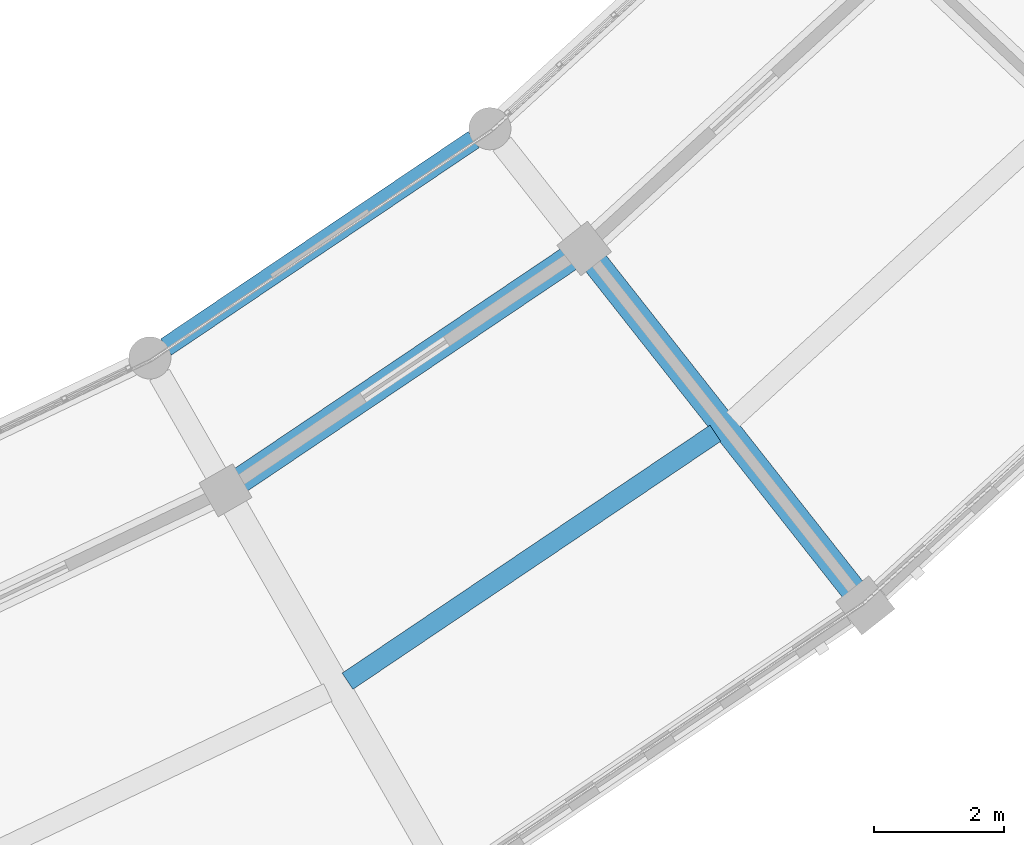
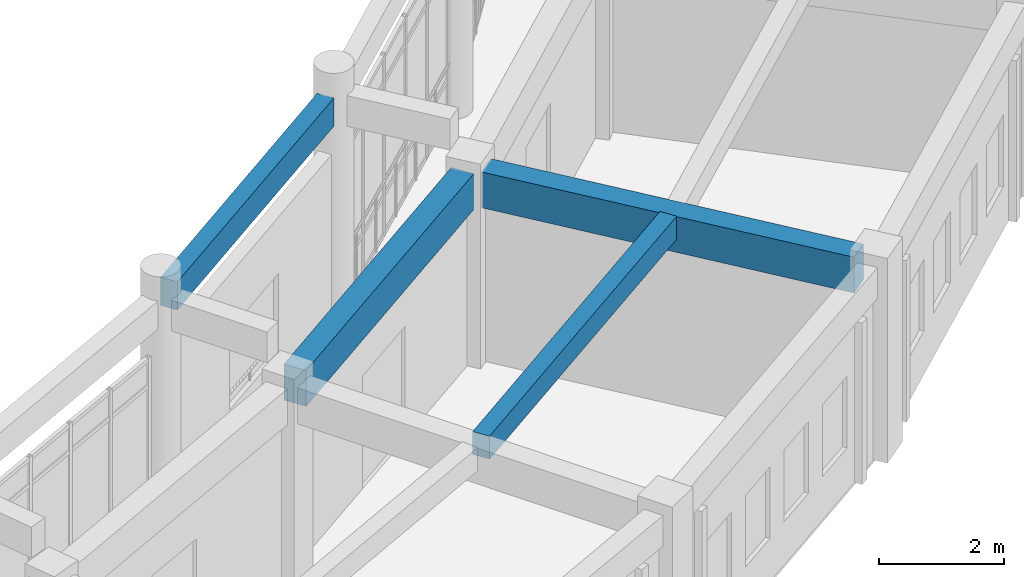
# One storey, part 40 of 159: 4 beams.
"""IFC4 building model written with IfcOpenShell, lengths in metres."""

from ifc_helpers import new_model, si_unit, direction, frame, origin, origin_2d, place, context, subcontext, project, spatial, rectangle, extrude, material, material_profile, profile_set, type_object, element, save


model = new_model("IFC4")

# Units and contexts
model_context = context("Model", 3, precision=1e-05, world=origin(), true_north=direction((0.0, 1.0)))
body_context = subcontext(model_context, "Body", "Model", "MODEL_VIEW")
ifc_project = project(units=[si_unit("LENGTHUNIT", "METRE"), si_unit("AREAUNIT", "SQUARE_METRE"), si_unit("VOLUMEUNIT", "CUBIC_METRE"), si_unit("PLANEANGLEUNIT", "RADIAN"), si_unit("MASSUNIT", "GRAM", prefix="KILO")], contexts=[model_context])

# Site, building, storey
site_placement = place(None, origin())
site = spatial("IfcSite", under=ifc_project, at=site_placement, CompositionType="ELEMENT")
building_placement = place(site_placement, origin())
building = spatial("IfcBuilding", under=site, at=building_placement, Name="Celadon Cloister-Ring School", CompositionType="ELEMENT")
storey_placement = place(building_placement, frame((0.0, 0.0, 4.5)))
storey = spatial("IfcBuildingStorey", under=building, at=storey_placement, Name="L01", CompositionType="ELEMENT", Elevation=4.5)

# Beams
ifc_material_1 = material(Name="Concrete C35/45", Category="concrete")
ifc_material_profile_1 = material_profile(ifc_material_1, rectangle(XDim=0.39990234375, YDim=0.699951171875, at=origin_2d()), Name="RC400X700")
ifc_profile_set_1 = profile_set([ifc_material_profile_1], Name="Concrete C35/45")
beam_type_1 = type_object("IfcBeamType", Name="GT-03", PredefinedType="USERDEFINED", material=ifc_profile_set_1)
beam_1_placement = place(storey_placement, frame((118.993896484375, 18.388916015625, 3.429931640625), z_axis=(-0.618806152173, 0.785543726366, 0.0), x_axis=(-0.785543726366, -0.618806152173, 0.0)))
element("IfcBeam", 1, at=beam_1_placement, inside=storey, type_object=beam_type_1, Name="Beam 0240", ObjectType="GIRDER", PredefinedType="USERDEFINED", context=body_context, shape_type="SweptSolid", body=[
    extrude(rectangle(XDim=0.39990234375, YDim=0.699951171875, at=origin_2d()), origin(), (0.0, 0.0, 1.0), 6.425048828125),
])
beam_2_placement = place(storey_placement, frame((109.548095703125, 20.080078125, 3.429931640625), z_axis=(0.82927648131, 0.558838543362, 0.0), x_axis=(-0.558838543362, 0.82927648131, 0.0)))
element("IfcBeam", 2, at=beam_2_placement, inside=storey, type_object=beam_type_1, Name="Beam 0344", ObjectType="GIRDER", PredefinedType="USERDEFINED", context=body_context, shape_type="SweptSolid", body=[
    extrude(rectangle(XDim=0.39990234375, YDim=0.699951171875, at=origin_2d()), origin(), (0.0, 0.0, 1.0), 6.1162109375),
])
ifc_material_2 = material(Name="Concrete C35/45", Category="concrete")
ifc_material_profile_2 = material_profile(ifc_material_2, rectangle(XDim=0.300048828125, YDim=0.449951171875, at=origin_2d()), Name="RC300X450")
ifc_profile_set_2 = profile_set([ifc_material_profile_2], Name="Concrete C35/45")
beam_type_2 = type_object("IfcBeamType", Name="JT-01", PredefinedType="JOIST", material=ifc_profile_set_2)
beam_3_placement = place(storey_placement, frame((111.200927734375, 16.98388671875, 3.554931640625), z_axis=(0.829176460094, 0.558986939048, 0.0), x_axis=(-0.558986939048, 0.829176460094, 0.0)))
element("IfcBeam", 3, at=beam_3_placement, inside=storey, type_object=beam_type_2, Name="Beam 0346", PredefinedType="JOIST", context=body_context, shape_type="SweptSolid", body=[
    extrude(rectangle(XDim=0.300048828125, YDim=0.449951171875, at=origin_2d()), origin(), (0.0, 0.0, 1.0), 6.835693359375),
])
ifc_material_3 = material(Name="Concrete C35/45", Category="concrete")
ifc_material_profile_3 = material_profile(ifc_material_3, rectangle(XDim=0.300048828125, YDim=0.550048828125, at=origin_2d()), Name="RC300X550")
ifc_profile_set_3 = profile_set([ifc_material_profile_3], Name="Concrete C35/45")
beam_type_3 = type_object("IfcBeamType", Name="SP-02", PredefinedType="SPANDREL", material=ifc_profile_set_3)
beam_4_placement = place(storey_placement, frame((108.404052734375, 22.134033203125, 4.375), z_axis=(0.829181671267, 0.558979208947, 0.0), x_axis=(-0.558979208947, 0.829181671267, 0.0)))
element("IfcBeam", 4, at=beam_4_placement, inside=storey, type_object=beam_type_3, Name="Beam 0345", PredefinedType="SPANDREL", context=body_context, shape_type="SweptSolid", body=[
    extrude(rectangle(XDim=0.300048828125, YDim=0.550048828125, at=origin_2d()), origin(), (0.0, 0.0, 1.0), 5.717529296875),
])

save(model, "model.ifc")
